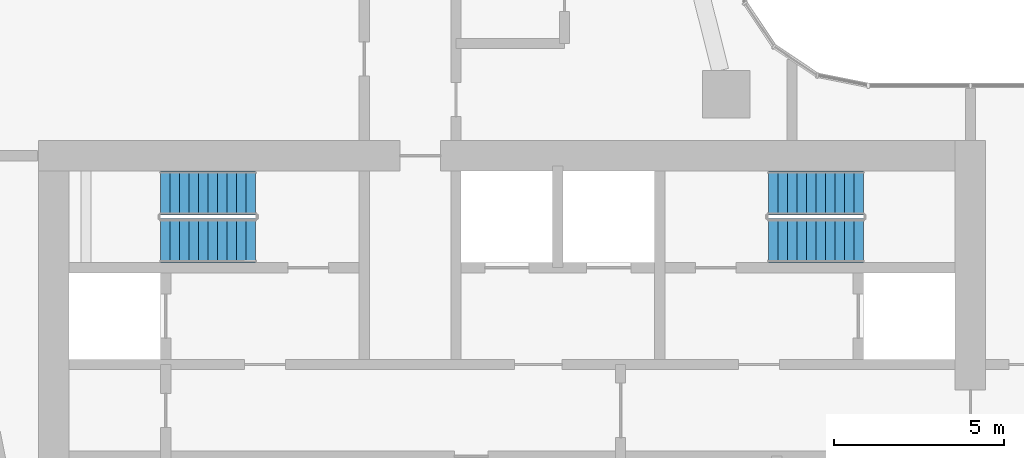
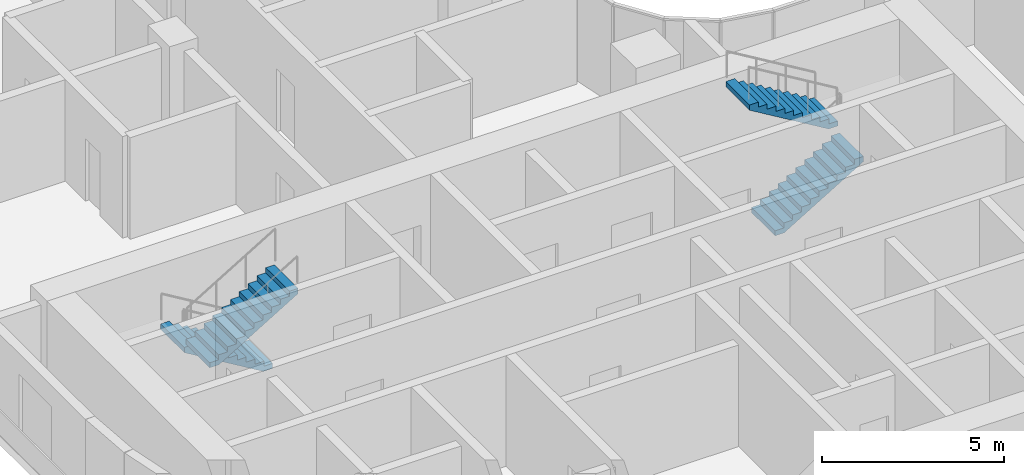
# One storey, part 24 of 32: 4 stair flights, 2 elements without a shape of their own.
"""IFC4 building model written with IfcOpenShell, lengths in metres."""

from ifc_helpers import new_model, si_unit, direction, frame, origin, place, context, subcontext, project, spatial, triangles, source, transform, mapped, material, type_object, element, aggregate, save


model = new_model("IFC4")

# Units and contexts
model_context = context("Model", 3, precision=1e-05, world=origin(), true_north=direction((0.0, 1.0)))
body_context = subcontext(model_context, "Body", "Model", "MODEL_VIEW")
ifc_project = project(units=[si_unit("LENGTHUNIT", "METRE"), si_unit("AREAUNIT", "SQUARE_METRE"), si_unit("VOLUMEUNIT", "CUBIC_METRE"), si_unit("PLANEANGLEUNIT", "RADIAN"), si_unit("MASSUNIT", "GRAM", prefix="KILO")], contexts=[model_context])

# Site, building, storey
site_placement = place(None, origin())
site = spatial("IfcSite", under=ifc_project, at=site_placement, CompositionType="ELEMENT")
building_placement = place(site_placement, origin())
building = spatial("IfcBuilding", under=site, at=building_placement, Name="Ogive Portal Towers", CompositionType="ELEMENT")
storey_placement = place(building_placement, frame((0.0, 0.0, 59.39990234375)))
storey = spatial("IfcBuildingStorey", under=building, at=storey_placement, Name="L13", CompositionType="ELEMENT", Elevation=59.39990234375)

# Stair, stair flights
ifc_material = material(Name="Concrete C40/50", Category="concrete")
stair_type = type_object("IfcStairType", Name="INT-STAIR", PredefinedType="HALF_TURN_STAIR", material=ifc_material)
stair_1_placement = place(storey_placement, origin())
stair_1 = element("IfcStair", 1, at=stair_1_placement, inside=storey, type_object=stair_type, Name="L13 Exit Stair ST-A1", PredefinedType="HALF_TURN_STAIR")
stair_flight_type = type_object("IfcStairFlightType", Name="INT-FLIGHT", PredefinedType="STRAIGHT", material=ifc_material)
shared_shape = source(origin(), body_context, "Body", "Tessellation", [
    triangles([(0.0, -0.650146484375, 0.0), (0.0, -0.376220703125, 0.0), (0.0, -0.192626953125, 0.0), (0.0, -0.081298828125, 0.0), (0.0, -0.024169921875, 0.0), (0.0, -0.003173828125, 0.0), (0.0, 0.0, 0.0), (0.0, 0.0029296875, 0.0), (0.0, 0.02392578125, 0.0), (0.0, 0.0810546875, 0.0), (0.0, 0.1923828125, 0.0), (0.0, 0.3759765625, 0.0), (0.0, 0.64990234375, 0.0), (0.0, -0.650146484375, 0.168212890625), (0.0, -0.376220703125, 0.168212890625), (0.0, -0.192626953125, 0.168212890625), (0.0, -0.081298828125, 0.168212890625), (0.0, -0.024169921875, 0.168212890625), (0.0, -0.003173828125, 0.168212890625), (0.0, 0.0, 0.168212890625), (0.0, 0.0029296875, 0.168212890625), (0.0, 0.02392578125, 0.168212890625), (0.0, 0.0810546875, 0.168212890625), (0.0, 0.1923828125, 0.168212890625), (0.0, 0.3759765625, 0.168212890625), (0.0, 0.64990234375, 0.168212890625), (0.280029296875, -0.650146484375, 0.168212890625), (0.280029296875, -0.376220703125, 0.168212890625), (0.280029296875, -0.192626953125, 0.168212890625), (0.280029296875, -0.081298828125, 0.168212890625), (0.280029296875, -0.024169921875, 0.168212890625), (0.280029296875, -0.003173828125, 0.168212890625), (0.280029296875, 0.0, 0.168212890625), (0.280029296875, 0.0029296875, 0.168212890625), (0.280029296875, 0.02392578125, 0.168212890625), (0.280029296875, 0.0810546875, 0.168212890625), (0.280029296875, 0.1923828125, 0.168212890625), (0.280029296875, 0.3759765625, 0.168212890625), (0.280029296875, 0.64990234375, 0.168212890625), (0.280029296875, -0.650146484375, 0.33642578125), (0.280029296875, -0.376220703125, 0.33642578125), (0.280029296875, -0.192626953125, 0.33642578125), (0.280029296875, -0.081298828125, 0.33642578125), (0.280029296875, -0.024169921875, 0.33642578125), (0.280029296875, -0.003173828125, 0.33642578125), (0.280029296875, 0.0, 0.33642578125), (0.280029296875, 0.0029296875, 0.33642578125), (0.280029296875, 0.02392578125, 0.33642578125), (0.280029296875, 0.0810546875, 0.33642578125), (0.280029296875, 0.1923828125, 0.33642578125), (0.280029296875, 0.3759765625, 0.33642578125), (0.280029296875, 0.64990234375, 0.33642578125), (0.56005859375, -0.650146484375, 0.33642578125), (0.56005859375, -0.376220703125, 0.33642578125), (0.56005859375, -0.192626953125, 0.33642578125), (0.56005859375, -0.081298828125, 0.33642578125), (0.56005859375, -0.024169921875, 0.33642578125), (0.56005859375, -0.003173828125, 0.33642578125), (0.56005859375, 0.0, 0.33642578125), (0.56005859375, 0.0029296875, 0.33642578125), (0.56005859375, 0.02392578125, 0.33642578125), (0.56005859375, 0.0810546875, 0.33642578125), (0.56005859375, 0.1923828125, 0.33642578125), (0.56005859375, 0.3759765625, 0.33642578125), (0.56005859375, 0.64990234375, 0.33642578125), (0.56005859375, -0.650146484375, 0.504638671875), (0.56005859375, -0.376220703125, 0.504638671875), (0.56005859375, -0.192626953125, 0.504638671875), (0.56005859375, -0.081298828125, 0.504638671875), (0.56005859375, -0.024169921875, 0.504638671875), (0.56005859375, -0.003173828125, 0.504638671875), (0.56005859375, 0.0, 0.504638671875), (0.56005859375, 0.0029296875, 0.504638671875), (0.56005859375, 0.02392578125, 0.504638671875), (0.56005859375, 0.0810546875, 0.504638671875), (0.56005859375, 0.1923828125, 0.504638671875), (0.56005859375, 0.3759765625, 0.504638671875), (0.56005859375, 0.64990234375, 0.504638671875), (0.840087890625, -0.650146484375, 0.504638671875), (0.840087890625, -0.376220703125, 0.504638671875), (0.840087890625, -0.192626953125, 0.504638671875), (0.840087890625, -0.081298828125, 0.504638671875), (0.840087890625, -0.024169921875, 0.504638671875), (0.840087890625, -0.003173828125, 0.504638671875), (0.840087890625, 0.0, 0.504638671875), (0.840087890625, 0.0029296875, 0.504638671875), (0.840087890625, 0.02392578125, 0.504638671875), (0.840087890625, 0.0810546875, 0.504638671875), (0.840087890625, 0.1923828125, 0.504638671875), (0.840087890625, 0.3759765625, 0.504638671875), (0.840087890625, 0.64990234375, 0.504638671875), (0.840087890625, -0.650146484375, 0.672607421875), (0.840087890625, -0.376220703125, 0.672607421875), (0.840087890625, -0.192626953125, 0.672607421875), (0.840087890625, -0.081298828125, 0.672607421875), (0.840087890625, -0.024169921875, 0.672607421875), (0.840087890625, -0.003173828125, 0.672607421875), (0.840087890625, 0.0, 0.672607421875), (0.840087890625, 0.0029296875, 0.672607421875), (0.840087890625, 0.02392578125, 0.672607421875), (0.840087890625, 0.0810546875, 0.672607421875), (0.840087890625, 0.1923828125, 0.672607421875), (0.840087890625, 0.3759765625, 0.672607421875), (0.840087890625, 0.64990234375, 0.672607421875), (1.1201171875, -0.650146484375, 0.672607421875), (1.1201171875, -0.376220703125, 0.672607421875), (1.1201171875, -0.192626953125, 0.672607421875), (1.1201171875, -0.081298828125, 0.672607421875), (1.1201171875, -0.024169921875, 0.672607421875), (1.1201171875, -0.003173828125, 0.672607421875), (1.1201171875, 0.0, 0.672607421875), (1.1201171875, 0.0029296875, 0.672607421875), (1.1201171875, 0.02392578125, 0.672607421875), (1.1201171875, 0.0810546875, 0.672607421875), (1.1201171875, 0.1923828125, 0.672607421875), (1.1201171875, 0.3759765625, 0.672607421875), (1.1201171875, 0.64990234375, 0.672607421875), (1.1201171875, -0.650146484375, 0.8408203125), (1.1201171875, -0.376220703125, 0.8408203125), (1.1201171875, -0.192626953125, 0.8408203125), (1.1201171875, -0.081298828125, 0.8408203125), (1.1201171875, -0.024169921875, 0.8408203125), (1.1201171875, -0.003173828125, 0.8408203125), (1.1201171875, 0.0, 0.8408203125), (1.1201171875, 0.0029296875, 0.8408203125), (1.1201171875, 0.02392578125, 0.8408203125), (1.1201171875, 0.0810546875, 0.8408203125), (1.1201171875, 0.1923828125, 0.8408203125), (1.1201171875, 0.3759765625, 0.8408203125), (1.1201171875, 0.64990234375, 0.8408203125), (1.39990234375, -0.650146484375, 0.8408203125), (1.39990234375, -0.376220703125, 0.8408203125), (1.39990234375, -0.192626953125, 0.8408203125), (1.39990234375, -0.081298828125, 0.8408203125), (1.39990234375, -0.024169921875, 0.8408203125), (1.39990234375, -0.003173828125, 0.8408203125), (1.39990234375, 0.0, 0.8408203125), (1.39990234375, 0.0029296875, 0.8408203125), (1.39990234375, 0.02392578125, 0.8408203125), (1.39990234375, 0.0810546875, 0.8408203125), (1.39990234375, 0.1923828125, 0.8408203125), (1.39990234375, 0.3759765625, 0.8408203125), (1.39990234375, 0.64990234375, 0.8408203125), (1.39990234375, -0.650146484375, 1.009033203125), (1.39990234375, -0.376220703125, 1.009033203125), (1.39990234375, -0.192626953125, 1.009033203125), (1.39990234375, -0.081298828125, 1.009033203125), (1.39990234375, -0.024169921875, 1.009033203125), (1.39990234375, -0.003173828125, 1.009033203125), (1.39990234375, 0.0, 1.009033203125), (1.39990234375, 0.0029296875, 1.009033203125), (1.39990234375, 0.02392578125, 1.009033203125), (1.39990234375, 0.0810546875, 1.009033203125), (1.39990234375, 0.1923828125, 1.009033203125), (1.39990234375, 0.3759765625, 1.009033203125), (1.39990234375, 0.64990234375, 1.009033203125), (1.679931640625, -0.650146484375, 1.009033203125), (1.679931640625, -0.376220703125, 1.009033203125), (1.679931640625, -0.192626953125, 1.009033203125), (1.679931640625, -0.081298828125, 1.009033203125), (1.679931640625, -0.024169921875, 1.009033203125), (1.679931640625, -0.003173828125, 1.009033203125), (1.679931640625, 0.0, 1.009033203125), (1.679931640625, 0.0029296875, 1.009033203125), (1.679931640625, 0.02392578125, 1.009033203125), (1.679931640625, 0.0810546875, 1.009033203125), (1.679931640625, 0.1923828125, 1.009033203125), (1.679931640625, 0.3759765625, 1.009033203125), (1.679931640625, 0.64990234375, 1.009033203125), (1.679931640625, -0.650146484375, 1.17724609375), (1.679931640625, -0.376220703125, 1.17724609375), (1.679931640625, -0.192626953125, 1.17724609375), (1.679931640625, -0.081298828125, 1.17724609375), (1.679931640625, -0.024169921875, 1.17724609375), (1.679931640625, -0.003173828125, 1.17724609375), (1.679931640625, 0.0, 1.17724609375), (1.679931640625, 0.0029296875, 1.17724609375), (1.679931640625, 0.02392578125, 1.17724609375), (1.679931640625, 0.0810546875, 1.17724609375), (1.679931640625, 0.1923828125, 1.17724609375), (1.679931640625, 0.3759765625, 1.17724609375), (1.679931640625, 0.64990234375, 1.17724609375), (1.9599609375, -0.650146484375, 1.17724609375), (1.9599609375, -0.376220703125, 1.17724609375), (1.9599609375, -0.192626953125, 1.17724609375), (1.9599609375, -0.081298828125, 1.17724609375), (1.9599609375, -0.024169921875, 1.17724609375), (1.9599609375, -0.003173828125, 1.17724609375), (1.9599609375, 0.0, 1.17724609375), (1.9599609375, 0.0029296875, 1.17724609375), (1.9599609375, 0.02392578125, 1.17724609375), (1.9599609375, 0.0810546875, 1.17724609375), (1.9599609375, 0.1923828125, 1.17724609375), (1.9599609375, 0.3759765625, 1.17724609375), (1.9599609375, 0.64990234375, 1.17724609375), (1.9599609375, -0.650146484375, 1.345458984375), (1.9599609375, -0.376220703125, 1.345458984375), (1.9599609375, -0.192626953125, 1.345458984375), (1.9599609375, -0.081298828125, 1.345458984375), (1.9599609375, -0.024169921875, 1.345458984375), (1.9599609375, -0.003173828125, 1.345458984375), (1.9599609375, 0.0, 1.345458984375), (1.9599609375, 0.0029296875, 1.345458984375), (1.9599609375, 0.02392578125, 1.345458984375), (1.9599609375, 0.0810546875, 1.345458984375), (1.9599609375, 0.1923828125, 1.345458984375), (1.9599609375, 0.3759765625, 1.345458984375), (1.9599609375, 0.64990234375, 1.345458984375), (2.239990234375, -0.650146484375, 1.345458984375), (2.239990234375, -0.376220703125, 1.345458984375), (2.239990234375, -0.192626953125, 1.345458984375), (2.239990234375, -0.081298828125, 1.345458984375), (2.239990234375, -0.024169921875, 1.345458984375), (2.239990234375, -0.003173828125, 1.345458984375), (2.239990234375, 0.0, 1.345458984375), (2.239990234375, 0.0029296875, 1.345458984375), (2.239990234375, 0.02392578125, 1.345458984375), (2.239990234375, 0.0810546875, 1.345458984375), (2.239990234375, 0.1923828125, 1.345458984375), (2.239990234375, 0.3759765625, 1.345458984375), (2.239990234375, 0.64990234375, 1.345458984375), (2.239990234375, -0.650146484375, 1.513671875), (2.239990234375, -0.376220703125, 1.513671875), (2.239990234375, -0.192626953125, 1.513671875), (2.239990234375, -0.081298828125, 1.513671875), (2.239990234375, -0.024169921875, 1.513671875), (2.239990234375, -0.003173828125, 1.513671875), (2.239990234375, 0.0, 1.513671875), (2.239990234375, 0.0029296875, 1.513671875), (2.239990234375, 0.02392578125, 1.513671875), (2.239990234375, 0.0810546875, 1.513671875), (2.239990234375, 0.1923828125, 1.513671875), (2.239990234375, 0.3759765625, 1.513671875), (2.239990234375, 0.64990234375, 1.513671875), (2.52001953125, -0.650146484375, 1.513671875), (2.52001953125, -0.376220703125, 1.513671875), (2.52001953125, -0.192626953125, 1.513671875), (2.52001953125, -0.081298828125, 1.513671875), (2.52001953125, -0.024169921875, 1.513671875), (2.52001953125, -0.003173828125, 1.513671875), (2.52001953125, 0.0, 1.513671875), (2.52001953125, 0.0029296875, 1.513671875), (2.52001953125, 0.02392578125, 1.513671875), (2.52001953125, 0.0810546875, 1.513671875), (2.52001953125, 0.1923828125, 1.513671875), (2.52001953125, 0.3759765625, 1.513671875), (2.52001953125, 0.64990234375, 1.513671875), (2.52001953125, -0.650146484375, 1.681884765625), (2.52001953125, -0.376220703125, 1.681884765625), (2.52001953125, -0.192626953125, 1.681884765625), (2.52001953125, -0.081298828125, 1.681884765625), (2.52001953125, -0.024169921875, 1.681884765625), (2.52001953125, -0.003173828125, 1.681884765625), (2.52001953125, 0.0, 1.681884765625), (2.52001953125, 0.0029296875, 1.681884765625), (2.52001953125, 0.02392578125, 1.681884765625), (2.52001953125, 0.0810546875, 1.681884765625), (2.52001953125, 0.1923828125, 1.681884765625), (2.52001953125, 0.3759765625, 1.681884765625), (2.52001953125, 0.64990234375, 1.681884765625), (2.800048828125, -0.650146484375, 1.681884765625), (2.800048828125, -0.376220703125, 1.681884765625), (2.800048828125, -0.192626953125, 1.681884765625), (2.800048828125, -0.081298828125, 1.681884765625), (2.800048828125, -0.024169921875, 1.681884765625), (2.800048828125, -0.003173828125, 1.681884765625), (2.800048828125, 0.0, 1.681884765625), (2.800048828125, 0.0029296875, 1.681884765625), (2.800048828125, 0.02392578125, 1.681884765625), (2.800048828125, 0.0810546875, 1.681884765625), (2.800048828125, 0.1923828125, 1.681884765625), (2.800048828125, 0.3759765625, 1.681884765625), (2.800048828125, 0.64990234375, 1.681884765625), (2.800048828125, -0.650146484375, 1.5068359375), (2.800048828125, -0.376220703125, 1.5068359375), (2.800048828125, -0.192626953125, 1.5068359375), (2.800048828125, -0.081298828125, 1.5068359375), (2.800048828125, -0.024169921875, 1.5068359375), (2.800048828125, -0.003173828125, 1.5068359375), (2.800048828125, 0.0, 1.5068359375), (2.800048828125, 0.0029296875, 1.5068359375), (2.800048828125, 0.02392578125, 1.5068359375), (2.800048828125, 0.0810546875, 1.5068359375), (2.800048828125, 0.1923828125, 1.5068359375), (2.800048828125, 0.3759765625, 1.5068359375), (2.800048828125, 0.64990234375, 1.5068359375), (0.291015625, -0.650146484375, 0.0), (0.291015625, -0.376220703125, 0.0), (0.291015625, -0.192626953125, 0.0), (0.291015625, -0.081298828125, 0.0), (0.291015625, -0.024169921875, 0.0), (0.291015625, -0.003173828125, 0.0), (0.291015625, 0.0, 0.0), (0.291015625, 0.0029296875, 0.0), (0.291015625, 0.02392578125, 0.0), (0.291015625, 0.0810546875, 0.0), (0.291015625, 0.1923828125, 0.0), (0.291015625, 0.3759765625, 0.0), (0.291015625, 0.64990234375, 0.0)], [[1, 14, 15], [1, 15, 2], [2, 15, 16], [2, 16, 3], [3, 16, 17], [3, 17, 4], [4, 17, 18], [4, 18, 5], [5, 18, 19], [5, 19, 6], [6, 19, 20], [6, 20, 7], [7, 20, 21], [7, 21, 8], [8, 21, 22], [8, 22, 9], [9, 22, 23], [9, 23, 10], [10, 23, 24], [10, 24, 11], [11, 24, 25], [11, 25, 12], [12, 25, 26], [12, 26, 13], [14, 27, 28], [14, 28, 15], [15, 28, 29], [15, 29, 16], [16, 29, 30], [16, 30, 17], [17, 30, 31], [17, 31, 18], [18, 31, 32], [18, 32, 19], [19, 32, 33], [19, 33, 20], [20, 33, 34], [20, 34, 21], [21, 34, 35], [21, 35, 22], [22, 35, 36], [22, 36, 23], [23, 36, 37], [23, 37, 24], [24, 37, 38], [24, 38, 25], [25, 38, 39], [25, 39, 26], [27, 40, 41], [27, 41, 28], [28, 41, 42], [28, 42, 29], [29, 42, 43], [29, 43, 30], [30, 43, 44], [30, 44, 31], [31, 44, 45], [31, 45, 32], [32, 45, 46], [32, 46, 33], [33, 46, 47], [33, 47, 34], [34, 47, 48], [34, 48, 35], [35, 48, 49], [35, 49, 36], [36, 49, 50], [36, 50, 37], [37, 50, 51], [37, 51, 38], [38, 51, 52], [38, 52, 39], [40, 53, 54], [40, 54, 41], [41, 54, 55], [41, 55, 42], [42, 55, 56], [42, 56, 43], [43, 56, 57], [43, 57, 44], [44, 57, 58], [44, 58, 45], [45, 58, 59], [45, 59, 46], [46, 59, 60], [46, 60, 47], [47, 60, 61], [47, 61, 48], [48, 61, 62], [48, 62, 49], [49, 62, 63], [49, 63, 50], [50, 63, 64], [50, 64, 51], [51, 64, 65], [51, 65, 52], [53, 66, 67], [53, 67, 54], [54, 67, 68], [54, 68, 55], [55, 68, 69], [55, 69, 56], [56, 69, 70], [56, 70, 57], [57, 70, 71], [57, 71, 58], [58, 71, 72], [58, 72, 59], [59, 72, 73], [59, 73, 60], [60, 73, 74], [60, 74, 61], [61, 74, 75], [61, 75, 62], [62, 75, 76], [62, 76, 63], [63, 76, 77], [63, 77, 64], [64, 77, 78], [64, 78, 65], [66, 79, 80], [66, 80, 67], [67, 80, 81], [67, 81, 68], [68, 81, 82], [68, 82, 69], [69, 82, 83], [69, 83, 70], [70, 83, 84], [70, 84, 71], [71, 84, 85], [71, 85, 72], [72, 85, 86], [72, 86, 73], [73, 86, 87], [73, 87, 74], [74, 87, 88], [74, 88, 75], [75, 88, 89], [75, 89, 76], [76, 89, 90], [76, 90, 77], [77, 90, 91], [77, 91, 78], [79, 92, 93], [79, 93, 80], [80, 93, 94], [80, 94, 81], [81, 94, 95], [81, 95, 82], [82, 95, 96], [82, 96, 83], [83, 96, 97], [83, 97, 84], [84, 97, 98], [84, 98, 85], [85, 98, 99], [85, 99, 86], [86, 99, 100], [86, 100, 87], [87, 100, 101], [87, 101, 88], [88, 101, 102], [88, 102, 89], [89, 102, 103], [89, 103, 90], [90, 103, 104], [90, 104, 91], [92, 105, 106], [92, 106, 93], [93, 106, 107], [93, 107, 94], [94, 107, 108], [94, 108, 95], [95, 108, 109], [95, 109, 96], [96, 109, 110], [96, 110, 97], [97, 110, 111], [97, 111, 98], [98, 111, 112], [98, 112, 99], [99, 112, 113], [99, 113, 100], [100, 113, 114], [100, 114, 101], [101, 114, 115], [101, 115, 102], [102, 115, 116], [102, 116, 103], [103, 116, 117], [103, 117, 104], [105, 118, 119], [105, 119, 106], [106, 119, 120], [106, 120, 107], [107, 120, 121], [107, 121, 108], [108, 121, 122], [108, 122, 109], [109, 122, 123], [109, 123, 110], [110, 123, 124], [110, 124, 111], [111, 124, 125], [111, 125, 112], [112, 125, 126], [112, 126, 113], [113, 126, 127], [113, 127, 114], [114, 127, 128], [114, 128, 115], [115, 128, 129], [115, 129, 116], [116, 129, 130], [116, 130, 117], [118, 131, 132], [118, 132, 119], [119, 132, 133], [119, 133, 120], [120, 133, 134], [120, 134, 121], [121, 134, 135], [121, 135, 122], [122, 135, 136], [122, 136, 123], [123, 136, 137], [123, 137, 124], [124, 137, 138], [124, 138, 125], [125, 138, 139], [125, 139, 126], [126, 139, 140], [126, 140, 127], [127, 140, 141], [127, 141, 128], [128, 141, 142], [128, 142, 129], [129, 142, 143], [129, 143, 130], [131, 144, 145], [131, 145, 132], [132, 145, 146], [132, 146, 133], [133, 146, 147], [133, 147, 134], [134, 147, 148], [134, 148, 135], [135, 148, 149], [135, 149, 136], [136, 149, 150], [136, 150, 137], [137, 150, 151], [137, 151, 138], [138, 151, 152], [138, 152, 139], [139, 152, 153], [139, 153, 140], [140, 153, 154], [140, 154, 141], [141, 154, 155], [141, 155, 142], [142, 155, 156], [142, 156, 143], [144, 157, 158], [144, 158, 145], [145, 158, 159], [145, 159, 146], [146, 159, 160], [146, 160, 147], [147, 160, 161], [147, 161, 148], [148, 161, 162], [148, 162, 149], [149, 162, 163], [149, 163, 150], [150, 163, 164], [150, 164, 151], [151, 164, 165], [151, 165, 152], [152, 165, 166], [152, 166, 153], [153, 166, 167], [153, 167, 154], [154, 167, 168], [154, 168, 155], [155, 168, 169], [155, 169, 156], [157, 170, 171], [157, 171, 158], [158, 171, 172], [158, 172, 159], [159, 172, 173], [159, 173, 160], [160, 173, 174], [160, 174, 161], [161, 174, 175], [161, 175, 162], [162, 175, 176], [162, 176, 163], [163, 176, 177], [163, 177, 164], [164, 177, 178], [164, 178, 165], [165, 178, 179], [165, 179, 166], [166, 179, 180], [166, 180, 167], [167, 180, 181], [167, 181, 168], [168, 181, 182], [168, 182, 169], [170, 183, 184], [170, 184, 171], [171, 184, 185], [171, 185, 172], [172, 185, 186], [172, 186, 173], [173, 186, 187], [173, 187, 174], [174, 187, 188], [174, 188, 175], [175, 188, 189], [175, 189, 176], [176, 189, 190], [176, 190, 177], [177, 190, 191], [177, 191, 178], [178, 191, 192], [178, 192, 179], [179, 192, 193], [179, 193, 180], [180, 193, 194], [180, 194, 181], [181, 194, 195], [181, 195, 182], [183, 196, 197], [183, 197, 184], [184, 197, 198], [184, 198, 185], [185, 198, 199], [185, 199, 186], [186, 199, 200], [186, 200, 187], [187, 200, 201], [187, 201, 188], [188, 201, 202], [188, 202, 189], [189, 202, 203], [189, 203, 190], [190, 203, 204], [190, 204, 191], [191, 204, 205], [191, 205, 192], [192, 205, 206], [192, 206, 193], [193, 206, 207], [193, 207, 194], [194, 207, 208], [194, 208, 195], [196, 209, 210], [196, 210, 197], [197, 210, 211], [197, 211, 198], [198, 211, 212], [198, 212, 199], [199, 212, 213], [199, 213, 200], [200, 213, 214], [200, 214, 201], [201, 214, 215], [201, 215, 202], [202, 215, 216], [202, 216, 203], [203, 216, 217], [203, 217, 204], [204, 217, 218], [204, 218, 205], [205, 218, 219], [205, 219, 206], [206, 219, 220], [206, 220, 207], [207, 220, 221], [207, 221, 208], [209, 222, 223], [209, 223, 210], [210, 223, 224], [210, 224, 211], [211, 224, 225], [211, 225, 212], [212, 225, 226], [212, 226, 213], [213, 226, 227], [213, 227, 214], [214, 227, 228], [214, 228, 215], [215, 228, 229], [215, 229, 216], [216, 229, 230], [216, 230, 217], [217, 230, 231], [217, 231, 218], [218, 231, 232], [218, 232, 219], [219, 232, 233], [219, 233, 220], [220, 233, 234], [220, 234, 221], [222, 235, 236], [222, 236, 223], [223, 236, 237], [223, 237, 224], [224, 237, 238], [224, 238, 225], [225, 238, 239], [225, 239, 226], [226, 239, 240], [226, 240, 227], [227, 240, 241], [227, 241, 228], [228, 241, 242], [228, 242, 229], [229, 242, 243], [229, 243, 230], [230, 243, 244], [230, 244, 231], [231, 244, 245], [231, 245, 232], [232, 245, 246], [232, 246, 233], [233, 246, 247], [233, 247, 234], [235, 248, 249], [235, 249, 236], [236, 249, 250], [236, 250, 237], [237, 250, 251], [237, 251, 238], [238, 251, 252], [238, 252, 239], [239, 252, 253], [239, 253, 240], [240, 253, 254], [240, 254, 241], [241, 254, 255], [241, 255, 242], [242, 255, 256], [242, 256, 243], [243, 256, 257], [243, 257, 244], [244, 257, 258], [244, 258, 245], [245, 258, 259], [245, 259, 246], [246, 259, 260], [246, 260, 247], [248, 261, 262], [248, 262, 249], [249, 262, 263], [249, 263, 250], [250, 263, 264], [250, 264, 251], [251, 264, 265], [251, 265, 252], [252, 265, 266], [252, 266, 253], [253, 266, 267], [253, 267, 254], [254, 267, 268], [254, 268, 255], [255, 268, 269], [255, 269, 256], [256, 269, 270], [256, 270, 257], [257, 270, 271], [257, 271, 258], [258, 271, 272], [258, 272, 259], [259, 272, 273], [259, 273, 260], [261, 274, 275], [261, 275, 262], [262, 275, 276], [262, 276, 263], [263, 276, 277], [263, 277, 264], [264, 277, 278], [264, 278, 265], [265, 278, 279], [265, 279, 266], [266, 279, 280], [266, 280, 267], [267, 280, 281], [267, 281, 268], [268, 281, 282], [268, 282, 269], [269, 282, 283], [269, 283, 270], [270, 283, 284], [270, 284, 271], [271, 284, 285], [271, 285, 272], [272, 285, 286], [272, 286, 273], [274, 287, 288], [274, 288, 275], [275, 288, 289], [275, 289, 276], [276, 289, 290], [276, 290, 277], [277, 290, 291], [277, 291, 278], [278, 291, 292], [278, 292, 279], [279, 292, 293], [279, 293, 280], [280, 293, 294], [280, 294, 281], [281, 294, 295], [281, 295, 282], [282, 295, 296], [282, 296, 283], [283, 296, 297], [283, 297, 284], [284, 297, 298], [284, 298, 285], [285, 298, 299], [285, 299, 286], [287, 1, 2], [287, 2, 288], [288, 2, 3], [288, 3, 289], [289, 3, 4], [289, 4, 290], [290, 4, 5], [290, 5, 291], [291, 5, 6], [291, 6, 292], [292, 6, 7], [292, 7, 293], [293, 7, 8], [293, 8, 294], [294, 8, 9], [294, 9, 295], [295, 9, 10], [295, 10, 296], [296, 10, 11], [296, 11, 297], [297, 11, 12], [297, 12, 298], [298, 12, 13], [298, 13, 299], [1, 287, 274], [13, 286, 299], [274, 261, 248], [286, 260, 273], [274, 248, 235], [286, 247, 260], [274, 235, 222], [286, 234, 247], [274, 222, 209], [286, 221, 234], [209, 196, 183], [221, 195, 208], [274, 209, 183], [286, 195, 221], [183, 170, 157], [195, 169, 182], [274, 183, 157], [286, 169, 195], [157, 144, 131], [169, 143, 156], [274, 157, 131], [286, 143, 169], [131, 118, 105], [143, 117, 130], [274, 131, 105], [286, 117, 143], [1, 274, 105], [13, 117, 286], [105, 92, 79], [117, 91, 104], [79, 66, 53], [91, 65, 78], [105, 79, 53], [117, 65, 91], [53, 40, 27], [65, 39, 52], [105, 53, 27], [117, 39, 65], [1, 105, 27], [13, 39, 117], [27, 14, 1], [39, 13, 26]], closed=True),
])
stair_flight_1_placement = place(storey_placement, frame((37.449951171875, 38.39990234375, 0.0), z_axis=(0.0, 0.0, 1.0), x_axis=(-1.0, 0.0, 0.0)))
stair_flight_1 = element("IfcStairFlight", 2, at=stair_flight_1_placement, type_object=stair_flight_type, Name="ST-A1 flight 1", NumberOfRisers=11, NumberOfTreads=10, PredefinedType="STRAIGHT", RiserHeight=0.168181818, TreadLength=0.28, context=body_context, shape_type="MappedRepresentation", body=[
    mapped(shared_shape, transform((0.0, 0.0, 0.0), scale=1.0)),
])
stair_flight_2_placement = place(storey_placement, frame((34.64990234375, 37.0, 1.85009765625), z_axis=(0.0, 0.0, 1.0), x_axis=(1.0, 0.0, 0.0)))
stair_flight_2 = element("IfcStairFlight", 3, at=stair_flight_2_placement, type_object=stair_flight_type, Name="ST-A1 flight 2", NumberOfRisers=11, NumberOfTreads=10, PredefinedType="STRAIGHT", RiserHeight=0.168181818, TreadLength=0.28, context=body_context, shape_type="MappedRepresentation", body=[
    mapped(shared_shape, transform((0.0, 0.0, 0.0), scale=1.0)),
])
aggregate(stair_1, [stair_flight_1, stair_flight_2])

stair_2_placement = place(storey_placement, origin())
stair_2 = element("IfcStair", 4, at=stair_2_placement, inside=storey, type_object=stair_type, Name="L13 Exit Stair ST-A2", PredefinedType="HALF_TURN_STAIR")
stair_flight_3_placement = place(storey_placement, frame((52.550048828125, 37.0, 0.0), z_axis=(0.0, 0.0, 1.0), x_axis=(1.0, 0.0, 0.0)))
stair_flight_3 = element("IfcStairFlight", 5, at=stair_flight_3_placement, type_object=stair_flight_type, Name="ST-A2 flight 1", NumberOfRisers=11, NumberOfTreads=10, PredefinedType="STRAIGHT", RiserHeight=0.168181818, TreadLength=0.28, context=body_context, shape_type="MappedRepresentation", body=[
    mapped(shared_shape, transform((0.0, 0.0, 0.0), scale=1.0)),
])
stair_flight_4_placement = place(storey_placement, frame((55.35009765625, 38.39990234375, 1.85009765625), z_axis=(0.0, 0.0, 1.0), x_axis=(-1.0, 0.0, 0.0)))
stair_flight_4 = element("IfcStairFlight", 6, at=stair_flight_4_placement, type_object=stair_flight_type, Name="ST-A2 flight 2", NumberOfRisers=11, NumberOfTreads=10, PredefinedType="STRAIGHT", RiserHeight=0.168181818, TreadLength=0.28, context=body_context, shape_type="MappedRepresentation", body=[
    mapped(shared_shape, transform((0.0, 0.0, 0.0), scale=1.0)),
])
aggregate(stair_2, [stair_flight_3, stair_flight_4])

save(model, "model.ifc")
